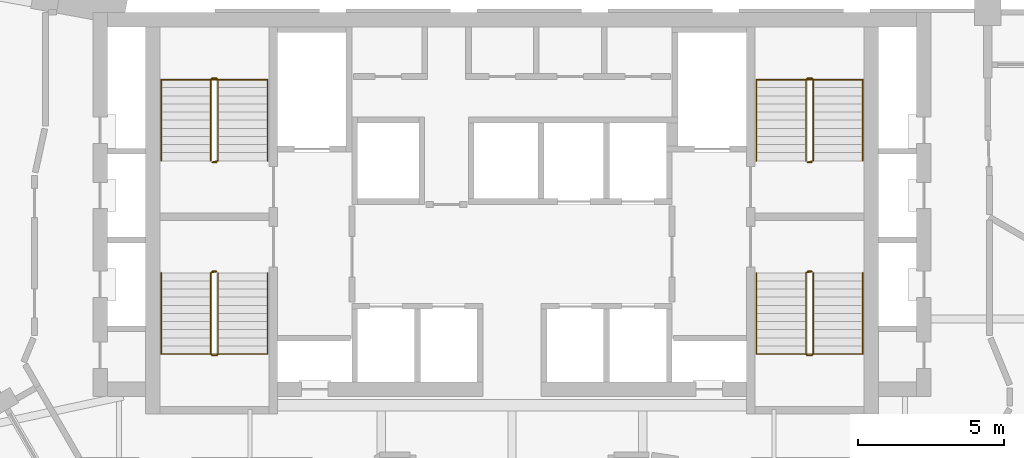
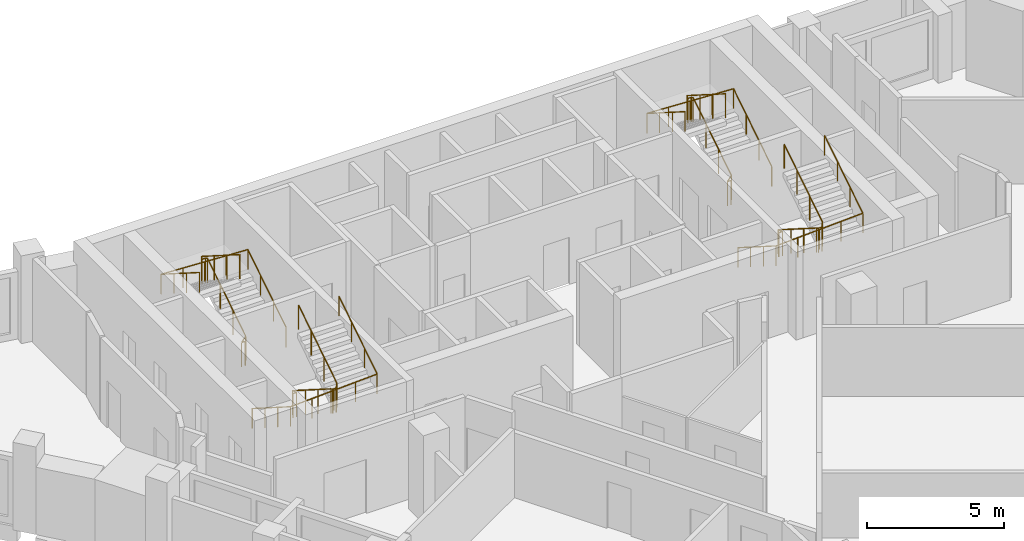
# One storey, part 9 of 9: 8 railings.
"""IFC4 building model written with IfcOpenShell, lengths in metres."""

from ifc_helpers import new_model, si_unit, direction, frame, origin, origin_2d, place, context, subcontext, project, spatial, circle, extrude, material, type_object, element, save


model = new_model("IFC4")

# Units and contexts
model_context = context("Model", 3, precision=1e-05, world=origin(), true_north=direction((0.0, 1.0)))
body_context = subcontext(model_context, "Body", "Model", "MODEL_VIEW")
ifc_project = project(units=[si_unit("LENGTHUNIT", "METRE"), si_unit("AREAUNIT", "SQUARE_METRE"), si_unit("VOLUMEUNIT", "CUBIC_METRE"), si_unit("PLANEANGLEUNIT", "RADIAN"), si_unit("MASSUNIT", "GRAM", prefix="KILO")], contexts=[model_context])

# Site, building, storey
site_placement = place(None, origin())
site = spatial("IfcSite", under=ifc_project, at=site_placement, CompositionType="ELEMENT")
building_placement = place(site_placement, origin())
building = spatial("IfcBuilding", under=site, at=building_placement, Name="Calabash Gate Tower", CompositionType="ELEMENT")
storey_placement = place(building_placement, frame((0.0, 0.0, 219.800048828125)))
storey = spatial("IfcBuildingStorey", under=building, at=storey_placement, Name="L52", CompositionType="ELEMENT", Elevation=219.800048828125)

# Railings
ifc_material_1 = material(Name="Black powder-coated steel balusters", Category="steel")
railing_type_1 = type_object("IfcRailingType", Name="Stair guard RL1100", PredefinedType="GUARDRAIL", material=ifc_material_1)
railing_1_placement = place(storey_placement, frame((-10.14990234375, 13.902587890625, 0.0)))
element("IfcRailing", 1, at=railing_1_placement, inside=storey, type_object=railing_type_1, Name="L52 ST1 stair guard 1", PredefinedType="GUARDRAIL", context=body_context, shape_type="SweptSolid", body=[
    extrude(circle(Radius=0.02392578125, at=origin_2d()), frame((0.0, 0.0, 1.076171875), z_axis=(-1.0, 0.0, 0.0), x_axis=(0.0, -1.0, 0.0)), (0.0, 0.0, 1.0), 0.150146484375),
    extrude(circle(Radius=0.02392578125, at=origin_2d()), frame((-0.150146484375, 0.0, 1.076171875), z_axis=(0.735524641326, 0.184105679453, 0.652003528208), x_axis=(-0.242814311512, 0.970072785993, 0.0)), (0.0, 0.0, 1.0), 0.271728515625),
    extrude(circle(Radius=0.02392578125, at=origin_2d()), frame((0.0498046875, 0.050048828125, 1.25341796875), z_axis=(0.0, 0.844041424197, 0.536277982245), x_axis=(-1.0, 0.0, 0.0)), (0.0, 0.0, 1.0), 3.3056640625),
    extrude(circle(Radius=0.02392578125, at=origin_2d()), frame((0.0498046875, 2.840087890625, 3.02587890625), z_axis=(-0.707106781187, 0.707106781187, 0.0), x_axis=(-0.707106781187, -0.707106781187, 0.0)), (0.0, 0.0, 1.0), 0.0703125),
    extrude(circle(Radius=0.02392578125, at=origin_2d()), frame((0.0, 2.889892578125, 3.02587890625), z_axis=(-1.0, 0.0, 0.0), x_axis=(0.0, -1.0, 0.0)), (0.0, 0.0, 1.0), 0.150146484375),
    extrude(circle(Radius=0.02392578125, at=origin_2d()), frame((-0.150146484375, 2.889892578125, 3.02587890625), z_axis=(-0.262321481514, -0.261041864531, 0.929001929653), x_axis=(0.705375805398, -0.708833529934, 0.0)), (0.0, 0.0, 1.0), 0.190673828125),
    extrude(circle(Radius=0.02392578125, at=origin_2d()), frame((-0.2001953125, 2.840087890625, 3.203125), z_axis=(0.0, -0.844041424197, 0.536277982245), x_axis=(1.0, 0.0, 0.0)), (0.0, 0.0, 1.0), 3.3056640625),
    extrude(circle(Radius=0.02099609375, at=origin_2d()), origin(), (0.0, 0.0, 1.0), 1.052001953125),
    extrude(circle(Radius=0.02099609375, at=origin_2d()), frame((-0.150146484375, 0.0, 0.0)), (0.0, 0.0, 1.0), 1.052001953125),
    extrude(circle(Radius=0.02099609375, at=origin_2d()), frame((0.0498046875, 0.050048828125, 0.17724609375)), (0.0, 0.0, 1.0), 1.052001953125),
    extrude(circle(Radius=0.02099609375, at=origin_2d()), frame((0.0498046875, 0.97998046875, 0.76806640625)), (0.0, 0.0, 1.0), 1.052001953125),
    extrude(circle(Radius=0.02099609375, at=origin_2d()), frame((0.0498046875, 1.91015625, 1.359130859375)), (0.0, 0.0, 1.0), 1.052001953125),
    extrude(circle(Radius=0.02099609375, at=origin_2d()), frame((0.0498046875, 2.840087890625, 1.949951171875)), (0.0, 0.0, 1.0), 1.052001953125),
    extrude(circle(Radius=0.02099609375, at=origin_2d()), frame((0.0, 2.889892578125, 1.949951171875)), (0.0, 0.0, 1.0), 1.052001953125),
    extrude(circle(Radius=0.02099609375, at=origin_2d()), frame((-0.150146484375, 2.889892578125, 1.949951171875)), (0.0, 0.0, 1.0), 1.052001953125),
    extrude(circle(Radius=0.02099609375, at=origin_2d()), frame((-0.2001953125, 2.840087890625, 2.127197265625)), (0.0, 0.0, 1.0), 1.052001953125),
    extrude(circle(Radius=0.02099609375, at=origin_2d()), frame((-0.2001953125, 1.91015625, 2.718017578125)), (0.0, 0.0, 1.0), 1.052001953125),
    extrude(circle(Radius=0.02099609375, at=origin_2d()), frame((-0.2001953125, 0.97998046875, 3.30908203125)), (0.0, 0.0, 1.0), 1.052001953125),
    extrude(circle(Radius=0.02099609375, at=origin_2d()), frame((-0.2001953125, 0.050048828125, 3.89990234375)), (0.0, 0.0, 1.0), 1.052001953125),
])
railing_2_placement = place(storey_placement, frame((-10.300048828125, 10.152587890625, 0.0)))
element("IfcRailing", 2, at=railing_2_placement, inside=storey, type_object=railing_type_1, Name="L52 ST2 stair guard 1", PredefinedType="GUARDRAIL", context=body_context, shape_type="SweptSolid", body=[
    extrude(circle(Radius=0.02392578125, at=origin_2d()), frame((0.0, 0.0, 1.076171875), z_axis=(1.0, 0.0, 0.0), x_axis=(0.0, 1.0, 0.0)), (0.0, 0.0, 1.0), 0.150146484375),
    extrude(circle(Radius=0.02392578125, at=origin_2d()), frame((0.150146484375, 0.0, 1.076171875), z_axis=(-0.735936453418, -0.183984113355, 0.651573006319), x_axis=(0.242535625036, -0.970142500145, 0.0)), (0.0, 0.0, 1.0), 0.27197265625),
    extrude(circle(Radius=0.02392578125, at=origin_2d()), frame((-0.050048828125, -0.050048828125, 1.25341796875), z_axis=(0.0, -0.844041424197, 0.536277982245), x_axis=(1.0, 0.0, 0.0)), (0.0, 0.0, 1.0), 3.3056640625),
    extrude(circle(Radius=0.02392578125, at=origin_2d()), frame((-0.050048828125, -2.840087890625, 3.02587890625), z_axis=(0.708833529934, -0.705375805398, 0.0), x_axis=(0.705375805398, 0.708833529934, 0.0)), (0.0, 0.0, 1.0), 0.070556640625),
    extrude(circle(Radius=0.02392578125, at=origin_2d()), frame((0.0, -2.889892578125, 3.02587890625), z_axis=(1.0, 0.0, 0.0), x_axis=(0.0, 1.0, 0.0)), (0.0, 0.0, 1.0), 0.150146484375),
    extrude(circle(Radius=0.02392578125, at=origin_2d()), frame((0.150146484375, -2.889892578125, 3.02587890625), z_axis=(0.261129318932, 0.261129318932, 0.929313164433), x_axis=(-0.707106781187, 0.707106781187, 0.0)), (0.0, 0.0, 1.0), 0.190673828125),
    extrude(circle(Radius=0.02392578125, at=origin_2d()), frame((0.199951171875, -2.840087890625, 3.203125), z_axis=(0.0, 0.844041424197, 0.536277982245), x_axis=(-1.0, 0.0, 0.0)), (0.0, 0.0, 1.0), 3.3056640625),
    extrude(circle(Radius=0.02099609375, at=origin_2d()), origin(), (0.0, 0.0, 1.0), 1.052001953125),
    extrude(circle(Radius=0.02099609375, at=origin_2d()), frame((0.150146484375, 0.0, 0.0)), (0.0, 0.0, 1.0), 1.052001953125),
    extrude(circle(Radius=0.02099609375, at=origin_2d()), frame((-0.050048828125, -0.050048828125, 0.17724609375)), (0.0, 0.0, 1.0), 1.052001953125),
    extrude(circle(Radius=0.02099609375, at=origin_2d()), frame((-0.050048828125, -0.97998046875, 0.76806640625)), (0.0, 0.0, 1.0), 1.052001953125),
    extrude(circle(Radius=0.02099609375, at=origin_2d()), frame((-0.050048828125, -1.91015625, 1.359130859375)), (0.0, 0.0, 1.0), 1.052001953125),
    extrude(circle(Radius=0.02099609375, at=origin_2d()), frame((-0.050048828125, -2.840087890625, 1.949951171875)), (0.0, 0.0, 1.0), 1.052001953125),
    extrude(circle(Radius=0.02099609375, at=origin_2d()), frame((0.0, -2.889892578125, 1.949951171875)), (0.0, 0.0, 1.0), 1.052001953125),
    extrude(circle(Radius=0.02099609375, at=origin_2d()), frame((0.150146484375, -2.889892578125, 1.949951171875)), (0.0, 0.0, 1.0), 1.052001953125),
    extrude(circle(Radius=0.02099609375, at=origin_2d()), frame((0.199951171875, -2.840087890625, 2.127197265625)), (0.0, 0.0, 1.0), 1.052001953125),
    extrude(circle(Radius=0.02099609375, at=origin_2d()), frame((0.199951171875, -1.91015625, 2.718017578125)), (0.0, 0.0, 1.0), 1.052001953125),
    extrude(circle(Radius=0.02099609375, at=origin_2d()), frame((0.199951171875, -0.97998046875, 3.30908203125)), (0.0, 0.0, 1.0), 1.052001953125),
    extrude(circle(Radius=0.02099609375, at=origin_2d()), frame((0.199951171875, -0.050048828125, 3.89990234375)), (0.0, 0.0, 1.0), 1.052001953125),
])
railing_3_placement = place(storey_placement, frame((10.300048828125, 13.902587890625, 0.0)))
element("IfcRailing", 3, at=railing_3_placement, inside=storey, type_object=railing_type_1, Name="L52 ST3 stair guard 1", PredefinedType="GUARDRAIL", context=body_context, shape_type="SweptSolid", body=[
    extrude(circle(Radius=0.02392578125, at=origin_2d()), frame((0.0, 0.0, 1.076171875), z_axis=(-1.0, 0.0, 0.0), x_axis=(0.0, -1.0, 0.0)), (0.0, 0.0, 1.0), 0.150146484375),
    extrude(circle(Radius=0.02392578125, at=origin_2d()), frame((-0.150146484375, 0.0, 1.076171875), z_axis=(0.735936453418, 0.183984113355, 0.651573006319), x_axis=(-0.242535625036, 0.970142500145, 0.0)), (0.0, 0.0, 1.0), 0.27197265625),
    extrude(circle(Radius=0.02392578125, at=origin_2d()), frame((0.050048828125, 0.050048828125, 1.25341796875), z_axis=(0.0, 0.844041424197, 0.536277982245), x_axis=(-1.0, 0.0, 0.0)), (0.0, 0.0, 1.0), 3.3056640625),
    extrude(circle(Radius=0.02392578125, at=origin_2d()), frame((0.050048828125, 2.840087890625, 3.02587890625), z_axis=(-0.708833529934, 0.705375805398, 0.0), x_axis=(-0.705375805398, -0.708833529934, 0.0)), (0.0, 0.0, 1.0), 0.070556640625),
    extrude(circle(Radius=0.02392578125, at=origin_2d()), frame((0.0, 2.889892578125, 3.02587890625), z_axis=(-1.0, 0.0, 0.0), x_axis=(0.0, -1.0, 0.0)), (0.0, 0.0, 1.0), 0.150146484375),
    extrude(circle(Radius=0.02392578125, at=origin_2d()), frame((-0.150146484375, 2.889892578125, 3.02587890625), z_axis=(-0.261129318932, -0.261129318932, 0.929313164433), x_axis=(0.707106781187, -0.707106781187, 0.0)), (0.0, 0.0, 1.0), 0.190673828125),
    extrude(circle(Radius=0.02392578125, at=origin_2d()), frame((-0.199951171875, 2.840087890625, 3.203125), z_axis=(0.0, -0.844041424197, 0.536277982245), x_axis=(1.0, 0.0, 0.0)), (0.0, 0.0, 1.0), 3.3056640625),
    extrude(circle(Radius=0.02099609375, at=origin_2d()), origin(), (0.0, 0.0, 1.0), 1.052001953125),
    extrude(circle(Radius=0.02099609375, at=origin_2d()), frame((-0.150146484375, 0.0, 0.0)), (0.0, 0.0, 1.0), 1.052001953125),
    extrude(circle(Radius=0.02099609375, at=origin_2d()), frame((0.050048828125, 0.050048828125, 0.17724609375)), (0.0, 0.0, 1.0), 1.052001953125),
    extrude(circle(Radius=0.02099609375, at=origin_2d()), frame((0.050048828125, 0.97998046875, 0.76806640625)), (0.0, 0.0, 1.0), 1.052001953125),
    extrude(circle(Radius=0.02099609375, at=origin_2d()), frame((0.050048828125, 1.91015625, 1.359130859375)), (0.0, 0.0, 1.0), 1.052001953125),
    extrude(circle(Radius=0.02099609375, at=origin_2d()), frame((0.050048828125, 2.840087890625, 1.949951171875)), (0.0, 0.0, 1.0), 1.052001953125),
    extrude(circle(Radius=0.02099609375, at=origin_2d()), frame((0.0, 2.889892578125, 1.949951171875)), (0.0, 0.0, 1.0), 1.052001953125),
    extrude(circle(Radius=0.02099609375, at=origin_2d()), frame((-0.150146484375, 2.889892578125, 1.949951171875)), (0.0, 0.0, 1.0), 1.052001953125),
    extrude(circle(Radius=0.02099609375, at=origin_2d()), frame((-0.199951171875, 2.840087890625, 2.127197265625)), (0.0, 0.0, 1.0), 1.052001953125),
    extrude(circle(Radius=0.02099609375, at=origin_2d()), frame((-0.199951171875, 1.91015625, 2.718017578125)), (0.0, 0.0, 1.0), 1.052001953125),
    extrude(circle(Radius=0.02099609375, at=origin_2d()), frame((-0.199951171875, 0.97998046875, 3.30908203125)), (0.0, 0.0, 1.0), 1.052001953125),
    extrude(circle(Radius=0.02099609375, at=origin_2d()), frame((-0.199951171875, 0.050048828125, 3.89990234375)), (0.0, 0.0, 1.0), 1.052001953125),
])
railing_4_placement = place(storey_placement, frame((10.14990234375, 10.152587890625, 0.0)))
element("IfcRailing", 4, at=railing_4_placement, inside=storey, type_object=railing_type_1, Name="L52 ST4 stair guard 1", PredefinedType="GUARDRAIL", context=body_context, shape_type="SweptSolid", body=[
    extrude(circle(Radius=0.02392578125, at=origin_2d()), frame((0.0, 0.0, 1.076171875), z_axis=(1.0, 0.0, 0.0), x_axis=(0.0, 1.0, 0.0)), (0.0, 0.0, 1.0), 0.150146484375),
    extrude(circle(Radius=0.02392578125, at=origin_2d()), frame((0.150146484375, 0.0, 1.076171875), z_axis=(-0.735524641326, -0.184105679453, 0.652003528208), x_axis=(0.242814311512, -0.970072785993, 0.0)), (0.0, 0.0, 1.0), 0.271728515625),
    extrude(circle(Radius=0.02392578125, at=origin_2d()), frame((-0.0498046875, -0.050048828125, 1.25341796875), z_axis=(0.0, -0.844041424197, 0.536277982245), x_axis=(1.0, 0.0, 0.0)), (0.0, 0.0, 1.0), 3.3056640625),
    extrude(circle(Radius=0.02392578125, at=origin_2d()), frame((-0.0498046875, -2.840087890625, 3.02587890625), z_axis=(0.707106781187, -0.707106781187, 0.0), x_axis=(0.707106781187, 0.707106781187, 0.0)), (0.0, 0.0, 1.0), 0.0703125),
    extrude(circle(Radius=0.02392578125, at=origin_2d()), frame((0.0, -2.889892578125, 3.02587890625), z_axis=(1.0, 0.0, 0.0), x_axis=(0.0, 1.0, 0.0)), (0.0, 0.0, 1.0), 0.150146484375),
    extrude(circle(Radius=0.02392578125, at=origin_2d()), frame((0.150146484375, -2.889892578125, 3.02587890625), z_axis=(0.262321481514, 0.261041864531, 0.929001929653), x_axis=(-0.705375805398, 0.708833529934, 0.0)), (0.0, 0.0, 1.0), 0.190673828125),
    extrude(circle(Radius=0.02392578125, at=origin_2d()), frame((0.2001953125, -2.840087890625, 3.203125), z_axis=(0.0, 0.844041424197, 0.536277982245), x_axis=(-1.0, 0.0, 0.0)), (0.0, 0.0, 1.0), 3.3056640625),
    extrude(circle(Radius=0.02099609375, at=origin_2d()), origin(), (0.0, 0.0, 1.0), 1.052001953125),
    extrude(circle(Radius=0.02099609375, at=origin_2d()), frame((0.150146484375, 0.0, 0.0)), (0.0, 0.0, 1.0), 1.052001953125),
    extrude(circle(Radius=0.02099609375, at=origin_2d()), frame((-0.0498046875, -0.050048828125, 0.17724609375)), (0.0, 0.0, 1.0), 1.052001953125),
    extrude(circle(Radius=0.02099609375, at=origin_2d()), frame((-0.0498046875, -0.97998046875, 0.76806640625)), (0.0, 0.0, 1.0), 1.052001953125),
    extrude(circle(Radius=0.02099609375, at=origin_2d()), frame((-0.0498046875, -1.91015625, 1.359130859375)), (0.0, 0.0, 1.0), 1.052001953125),
    extrude(circle(Radius=0.02099609375, at=origin_2d()), frame((-0.0498046875, -2.840087890625, 1.949951171875)), (0.0, 0.0, 1.0), 1.052001953125),
    extrude(circle(Radius=0.02099609375, at=origin_2d()), frame((0.0, -2.889892578125, 1.949951171875)), (0.0, 0.0, 1.0), 1.052001953125),
    extrude(circle(Radius=0.02099609375, at=origin_2d()), frame((0.150146484375, -2.889892578125, 1.949951171875)), (0.0, 0.0, 1.0), 1.052001953125),
    extrude(circle(Radius=0.02099609375, at=origin_2d()), frame((0.2001953125, -2.840087890625, 2.127197265625)), (0.0, 0.0, 1.0), 1.052001953125),
    extrude(circle(Radius=0.02099609375, at=origin_2d()), frame((0.2001953125, -1.91015625, 2.718017578125)), (0.0, 0.0, 1.0), 1.052001953125),
    extrude(circle(Radius=0.02099609375, at=origin_2d()), frame((0.2001953125, -0.97998046875, 3.30908203125)), (0.0, 0.0, 1.0), 1.052001953125),
    extrude(circle(Radius=0.02099609375, at=origin_2d()), frame((0.2001953125, -0.050048828125, 3.89990234375)), (0.0, 0.0, 1.0), 1.052001953125),
])
ifc_material_2 = material(Name="Black powder-coated steel tube 48 mm", Category="steel")
railing_type_2 = type_object("IfcRailingType", Name="Stair handrail RL900", PredefinedType="HANDRAIL", material=ifc_material_2)
railing_5_placement = place(storey_placement, frame((-8.39990234375, 13.95263671875, 0.17724609375)))
element("IfcRailing", 5, at=railing_5_placement, inside=storey, type_object=railing_type_2, Name="L52 ST1 stair handrail 1", PredefinedType="HANDRAIL", context=body_context, shape_type="SweptSolid", body=[
    extrude(circle(Radius=0.02392578125, at=origin_2d()), frame((0.0, 0.0, 0.8759765625), z_axis=(0.0, 0.844041424197, 0.536277982245), x_axis=(-1.0, 0.0, 0.0)), (0.0, 0.0, 1.0), 3.3056640625),
    extrude(circle(Radius=0.02392578125, at=origin_2d()), frame((0.0, 2.7900390625, 2.6484375), z_axis=(-0.998823110844, 0.0, 0.048501476722), x_axis=(0.0, -1.0, 0.0)), (0.0, 0.0, 1.0), 3.654541015625),
    extrude(circle(Radius=0.02392578125, at=origin_2d()), frame((-3.650146484375, 2.7900390625, 2.82568359375), z_axis=(0.0, -0.844041424197, 0.536277982245), x_axis=(1.0, 0.0, 0.0)), (0.0, 0.0, 1.0), 3.3056640625),
    extrude(circle(Radius=0.02099609375, at=origin_2d()), origin(), (0.0, 0.0, 1.0), 0.851806640625),
    extrude(circle(Radius=0.02099609375, at=origin_2d()), frame((0.0, 0.929931640625, 0.5908203125)), (0.0, 0.0, 1.0), 0.851806640625),
    extrude(circle(Radius=0.02099609375, at=origin_2d()), frame((0.0, 1.860107421875, 1.181884765625)), (0.0, 0.0, 1.0), 0.851806640625),
    extrude(circle(Radius=0.02099609375, at=origin_2d()), frame((0.0, 2.7900390625, 1.772705078125)), (0.0, 0.0, 1.0), 0.851806640625),
    extrude(circle(Radius=0.02099609375, at=origin_2d()), frame((-0.91259765625, 2.7900390625, 1.81689453125)), (0.0, 0.0, 1.0), 0.851806640625),
    extrude(circle(Radius=0.02099609375, at=origin_2d()), frame((-1.8251953125, 2.7900390625, 1.861328125)), (0.0, 0.0, 1.0), 0.851806640625),
    extrude(circle(Radius=0.02099609375, at=origin_2d()), frame((-2.737548828125, 2.7900390625, 1.90576171875)), (0.0, 0.0, 1.0), 0.851806640625),
    extrude(circle(Radius=0.02099609375, at=origin_2d()), frame((-3.650146484375, 2.7900390625, 1.949951171875)), (0.0, 0.0, 1.0), 0.851806640625),
    extrude(circle(Radius=0.02099609375, at=origin_2d()), frame((-3.650146484375, 1.860107421875, 2.540771484375)), (0.0, 0.0, 1.0), 0.851806640625),
    extrude(circle(Radius=0.02099609375, at=origin_2d()), frame((-3.650146484375, 0.929931640625, 3.1318359375)), (0.0, 0.0, 1.0), 0.851806640625),
    extrude(circle(Radius=0.02099609375, at=origin_2d()), frame((-3.650146484375, 0.0, 3.72265625)), (0.0, 0.0, 1.0), 0.851806640625),
])
railing_6_placement = place(storey_placement, frame((-12.050048828125, 10.1025390625, 0.17724609375)))
element("IfcRailing", 6, at=railing_6_placement, inside=storey, type_object=railing_type_2, Name="L52 ST2 stair handrail 1", PredefinedType="HANDRAIL", context=body_context, shape_type="SweptSolid", body=[
    extrude(circle(Radius=0.02392578125, at=origin_2d()), frame((0.0, 0.0, 0.8759765625), z_axis=(0.0, -0.844041424197, 0.536277982245), x_axis=(1.0, 0.0, 0.0)), (0.0, 0.0, 1.0), 3.3056640625),
    extrude(circle(Radius=0.02392578125, at=origin_2d()), frame((0.0, -2.7900390625, 2.6484375), z_axis=(0.998823110844, 0.0, 0.048501476722), x_axis=(0.0, 1.0, 0.0)), (0.0, 0.0, 1.0), 3.654541015625),
    extrude(circle(Radius=0.02392578125, at=origin_2d()), frame((3.650146484375, -2.7900390625, 2.82568359375), z_axis=(0.0, 0.844041424197, 0.536277982245), x_axis=(-1.0, 0.0, 0.0)), (0.0, 0.0, 1.0), 3.3056640625),
    extrude(circle(Radius=0.02099609375, at=origin_2d()), origin(), (0.0, 0.0, 1.0), 0.851806640625),
    extrude(circle(Radius=0.02099609375, at=origin_2d()), frame((0.0, -0.929931640625, 0.5908203125)), (0.0, 0.0, 1.0), 0.851806640625),
    extrude(circle(Radius=0.02099609375, at=origin_2d()), frame((0.0, -1.860107421875, 1.181884765625)), (0.0, 0.0, 1.0), 0.851806640625),
    extrude(circle(Radius=0.02099609375, at=origin_2d()), frame((0.0, -2.7900390625, 1.772705078125)), (0.0, 0.0, 1.0), 0.851806640625),
    extrude(circle(Radius=0.02099609375, at=origin_2d()), frame((0.91259765625, -2.7900390625, 1.81689453125)), (0.0, 0.0, 1.0), 0.851806640625),
    extrude(circle(Radius=0.02099609375, at=origin_2d()), frame((1.8251953125, -2.7900390625, 1.861328125)), (0.0, 0.0, 1.0), 0.851806640625),
    extrude(circle(Radius=0.02099609375, at=origin_2d()), frame((2.737548828125, -2.7900390625, 1.90576171875)), (0.0, 0.0, 1.0), 0.851806640625),
    extrude(circle(Radius=0.02099609375, at=origin_2d()), frame((3.650146484375, -2.7900390625, 1.949951171875)), (0.0, 0.0, 1.0), 0.851806640625),
    extrude(circle(Radius=0.02099609375, at=origin_2d()), frame((3.650146484375, -1.860107421875, 2.540771484375)), (0.0, 0.0, 1.0), 0.851806640625),
    extrude(circle(Radius=0.02099609375, at=origin_2d()), frame((3.650146484375, -0.929931640625, 3.1318359375)), (0.0, 0.0, 1.0), 0.851806640625),
    extrude(circle(Radius=0.02099609375, at=origin_2d()), frame((3.650146484375, 0.0, 3.72265625)), (0.0, 0.0, 1.0), 0.851806640625),
])
railing_7_placement = place(storey_placement, frame((12.050048828125, 13.95263671875, 0.17724609375)))
element("IfcRailing", 7, at=railing_7_placement, inside=storey, type_object=railing_type_2, Name="L52 ST3 stair handrail 1", PredefinedType="HANDRAIL", context=body_context, shape_type="SweptSolid", body=[
    extrude(circle(Radius=0.02392578125, at=origin_2d()), frame((0.0, 0.0, 0.8759765625), z_axis=(0.0, 0.844041424197, 0.536277982245), x_axis=(-1.0, 0.0, 0.0)), (0.0, 0.0, 1.0), 3.3056640625),
    extrude(circle(Radius=0.02392578125, at=origin_2d()), frame((0.0, 2.7900390625, 2.6484375), z_axis=(-0.998823110844, 0.0, 0.048501476722), x_axis=(0.0, -1.0, 0.0)), (0.0, 0.0, 1.0), 3.654541015625),
    extrude(circle(Radius=0.02392578125, at=origin_2d()), frame((-3.650146484375, 2.7900390625, 2.82568359375), z_axis=(0.0, -0.844041424197, 0.536277982245), x_axis=(1.0, 0.0, 0.0)), (0.0, 0.0, 1.0), 3.3056640625),
    extrude(circle(Radius=0.02099609375, at=origin_2d()), origin(), (0.0, 0.0, 1.0), 0.851806640625),
    extrude(circle(Radius=0.02099609375, at=origin_2d()), frame((0.0, 0.929931640625, 0.5908203125)), (0.0, 0.0, 1.0), 0.851806640625),
    extrude(circle(Radius=0.02099609375, at=origin_2d()), frame((0.0, 1.860107421875, 1.181884765625)), (0.0, 0.0, 1.0), 0.851806640625),
    extrude(circle(Radius=0.02099609375, at=origin_2d()), frame((0.0, 2.7900390625, 1.772705078125)), (0.0, 0.0, 1.0), 0.851806640625),
    extrude(circle(Radius=0.02099609375, at=origin_2d()), frame((-0.91259765625, 2.7900390625, 1.81689453125)), (0.0, 0.0, 1.0), 0.851806640625),
    extrude(circle(Radius=0.02099609375, at=origin_2d()), frame((-1.8251953125, 2.7900390625, 1.861328125)), (0.0, 0.0, 1.0), 0.851806640625),
    extrude(circle(Radius=0.02099609375, at=origin_2d()), frame((-2.737548828125, 2.7900390625, 1.90576171875)), (0.0, 0.0, 1.0), 0.851806640625),
    extrude(circle(Radius=0.02099609375, at=origin_2d()), frame((-3.650146484375, 2.7900390625, 1.949951171875)), (0.0, 0.0, 1.0), 0.851806640625),
    extrude(circle(Radius=0.02099609375, at=origin_2d()), frame((-3.650146484375, 1.860107421875, 2.540771484375)), (0.0, 0.0, 1.0), 0.851806640625),
    extrude(circle(Radius=0.02099609375, at=origin_2d()), frame((-3.650146484375, 0.929931640625, 3.1318359375)), (0.0, 0.0, 1.0), 0.851806640625),
    extrude(circle(Radius=0.02099609375, at=origin_2d()), frame((-3.650146484375, 0.0, 3.72265625)), (0.0, 0.0, 1.0), 0.851806640625),
])
railing_8_placement = place(storey_placement, frame((8.39990234375, 10.1025390625, 0.17724609375)))
element("IfcRailing", 8, at=railing_8_placement, inside=storey, type_object=railing_type_2, Name="L52 ST4 stair handrail 1", PredefinedType="HANDRAIL", context=body_context, shape_type="SweptSolid", body=[
    extrude(circle(Radius=0.02392578125, at=origin_2d()), frame((0.0, 0.0, 0.8759765625), z_axis=(0.0, -0.844041424197, 0.536277982245), x_axis=(1.0, 0.0, 0.0)), (0.0, 0.0, 1.0), 3.3056640625),
    extrude(circle(Radius=0.02392578125, at=origin_2d()), frame((0.0, -2.7900390625, 2.6484375), z_axis=(0.998823110844, 0.0, 0.048501476722), x_axis=(0.0, 1.0, 0.0)), (0.0, 0.0, 1.0), 3.654541015625),
    extrude(circle(Radius=0.02392578125, at=origin_2d()), frame((3.650146484375, -2.7900390625, 2.82568359375), z_axis=(0.0, 0.844041424197, 0.536277982245), x_axis=(-1.0, 0.0, 0.0)), (0.0, 0.0, 1.0), 3.3056640625),
    extrude(circle(Radius=0.02099609375, at=origin_2d()), origin(), (0.0, 0.0, 1.0), 0.851806640625),
    extrude(circle(Radius=0.02099609375, at=origin_2d()), frame((0.0, -0.929931640625, 0.5908203125)), (0.0, 0.0, 1.0), 0.851806640625),
    extrude(circle(Radius=0.02099609375, at=origin_2d()), frame((0.0, -1.860107421875, 1.181884765625)), (0.0, 0.0, 1.0), 0.851806640625),
    extrude(circle(Radius=0.02099609375, at=origin_2d()), frame((0.0, -2.7900390625, 1.772705078125)), (0.0, 0.0, 1.0), 0.851806640625),
    extrude(circle(Radius=0.02099609375, at=origin_2d()), frame((0.91259765625, -2.7900390625, 1.81689453125)), (0.0, 0.0, 1.0), 0.851806640625),
    extrude(circle(Radius=0.02099609375, at=origin_2d()), frame((1.8251953125, -2.7900390625, 1.861328125)), (0.0, 0.0, 1.0), 0.851806640625),
    extrude(circle(Radius=0.02099609375, at=origin_2d()), frame((2.737548828125, -2.7900390625, 1.90576171875)), (0.0, 0.0, 1.0), 0.851806640625),
    extrude(circle(Radius=0.02099609375, at=origin_2d()), frame((3.650146484375, -2.7900390625, 1.949951171875)), (0.0, 0.0, 1.0), 0.851806640625),
    extrude(circle(Radius=0.02099609375, at=origin_2d()), frame((3.650146484375, -1.860107421875, 2.540771484375)), (0.0, 0.0, 1.0), 0.851806640625),
    extrude(circle(Radius=0.02099609375, at=origin_2d()), frame((3.650146484375, -0.929931640625, 3.1318359375)), (0.0, 0.0, 1.0), 0.851806640625),
    extrude(circle(Radius=0.02099609375, at=origin_2d()), frame((3.650146484375, 0.0, 3.72265625)), (0.0, 0.0, 1.0), 0.851806640625),
])

save(model, "model.ifc")
